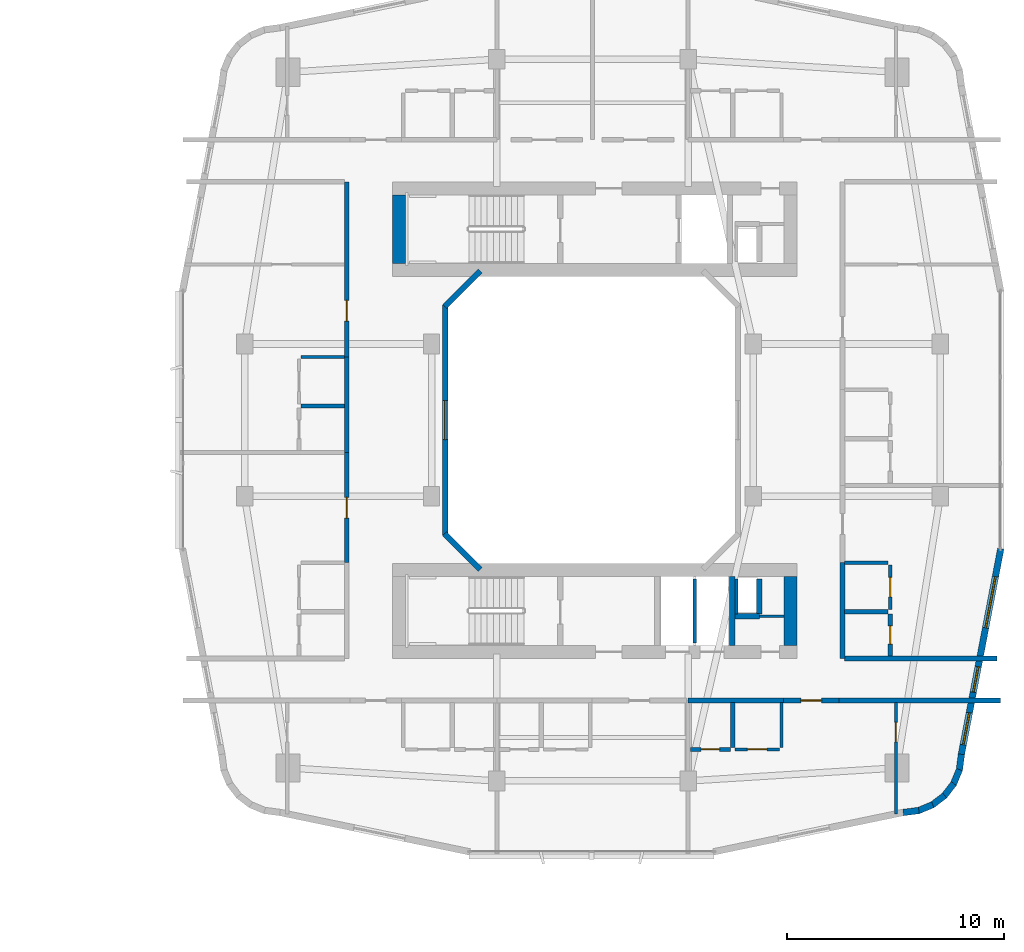
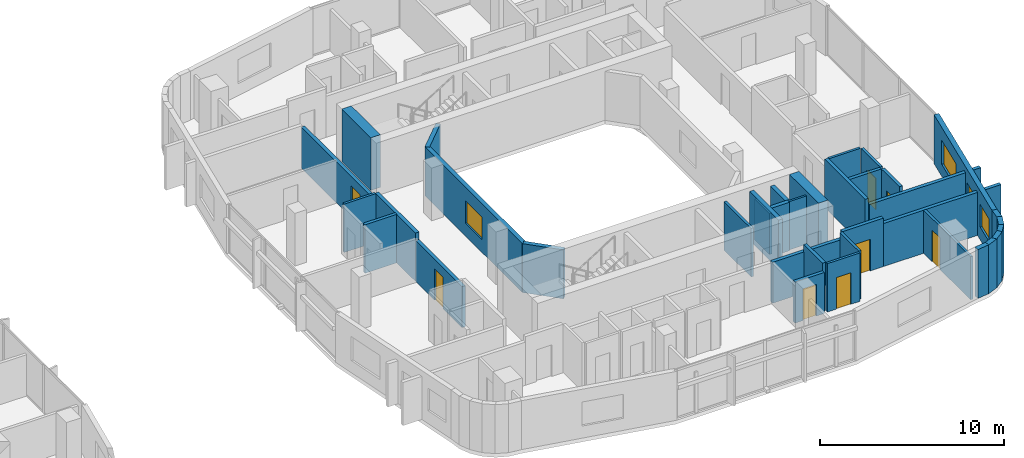
# One storey, part 19 of 27: 37 walls, 8 doors, 4 windows, 12 openings.
"""IFC4 building model written with IfcOpenShell, lengths in metres."""

from ifc_helpers import new_model, si_unit, derived_unit, direction, frame, frame_2d, origin, place, context, subcontext, project, spatial, rectangle, extrude, material, layer, layer_set, type_object, element, fill, save


model = new_model("IFC4")

# Units and contexts
model_context = context("Model", 3, precision=1e-05, world=origin(), true_north=direction((0.0, 1.0)))
body_context = subcontext(model_context, "Body", "Model", "MODEL_VIEW")
ifc_project = project(units=[si_unit("LENGTHUNIT", "METRE"), si_unit("AREAUNIT", "SQUARE_METRE"), si_unit("VOLUMEUNIT", "CUBIC_METRE"), si_unit("PLANEANGLEUNIT", "RADIAN"), si_unit("MASSUNIT", "GRAM", prefix="KILO"), derived_unit("THERMALTRANSMITTANCEUNIT", [(si_unit("POWERUNIT", "WATT"), 1), (si_unit("LENGTHUNIT", "METRE"), -2), (si_unit("THERMODYNAMICTEMPERATUREUNIT", "KELVIN"), -1)])], contexts=[model_context])

# Site, building, storey
site_placement = place(None, origin())
site = spatial("IfcSite", under=ifc_project, at=site_placement, CompositionType="ELEMENT")
building_placement = place(site_placement, origin())
building = spatial("IfcBuilding", under=site, at=building_placement, Name="Kivonza Crest Hotel", CompositionType="ELEMENT")
storey_placement = place(building_placement, frame((0.0, 0.0, 38.0)))
storey = spatial("IfcBuildingStorey", under=building, at=storey_placement, Name="L09", CompositionType="ELEMENT", Elevation=38.0)

# Walls
ifc_material_1 = material(Name="Autoclaved aerated concrete blockwork", Category="masonry")
ifc_layer_1 = layer(ifc_material_1, 0.219970703125)
ifc_layer_set_1 = layer_set([ifc_layer_1], Name="Autoclaved aerated concrete blockwork")
wall_type_1 = type_object("IfcWallType", Name="WL-ACOU-220", PredefinedType="SOLIDWALL", material=ifc_layer_set_1)
wall_1_placement = place(storey_placement, frame((81.39990234375, 12.10009765625, 0.0), z_axis=(0.0, 0.0, 1.0), x_axis=(1.0, 0.0, 0.0)))
element("IfcWall", 1, at=wall_1_placement, inside=storey, type_object=wall_type_1, Name="L09 interior partition WA-L09-A05-LCORR", PredefinedType="SOLIDWALL", context=body_context, shape_type="SweptSolid", body=[
    extrude(rectangle(XDim=4.380126953125, YDim=0.219970703125, at=frame_2d((2.18994140625, 0.0))), origin(), (0.0, 0.0, 1.0), 2.72509765625),
])
wall_2_placement = place(storey_placement, frame((88.35009765625, 12.10009765625, 0.0), z_axis=(0.0, 0.0, 1.0), x_axis=(1.0, 0.0, 0.0)))
element("IfcWall", 2, at=wall_2_placement, inside=storey, type_object=wall_type_1, Name="L09 interior partition WA-L09-A05-RCORR", PredefinedType="SOLIDWALL", context=body_context, shape_type="SweptSolid", body=[
    extrude(rectangle(XDim=7.409912109375, YDim=0.219970703125, at=frame_2d((3.705078125, 0.0))), origin(), (0.0, 0.0, 1.0), 2.864990234375),
])

# Wall, opening, door
wall_3_placement = place(storey_placement, frame((85.780029296875, 12.10009765625, 0.0), z_axis=(0.0, 0.0, 1.0), x_axis=(1.0, 0.0, 0.0)))
wall_3 = element("IfcWall", 3, at=wall_3_placement, inside=storey, type_object=wall_type_1, Name="L09 interior partition WA-L09-A05-MCORR", PredefinedType="SOLIDWALL", context=body_context, shape_type="SweptSolid", body=[
    extrude(rectangle(XDim=2.570068359375, YDim=0.219970703125, at=frame_2d((1.28515625, 0.0))), origin(), (0.0, 0.0, 1.0), 3.219970703125),
])
opening_1_placement = place(wall_3_placement, frame((0.81005859375, 0.0, 0.0)))
opening_1 = element("IfcOpeningElement", 4, at=opening_1_placement, cuts=wall_3, Name="Opening DU-60", PredefinedType="OPENING", context=body_context, shape_type="SweptSolid", body=[
    extrude(rectangle(XDim=0.949951171875, YDim=2.10009765625, at=frame_2d((0.47509765625, 1.050048828125))), frame((0.0, 0.1201171875, 0.0), z_axis=(0.0, -1.0, 0.0), x_axis=(1.0, 0.0, 0.0)), (0.0, 0.0, 1.0), 0.239990234375),
])
ifc_material_2 = material(Name="Hardwood timber oak", Category="wood")
door_type_1 = type_object("IfcDoorType", Name="DR-UNIT-950", OperationType="NOTDEFINED", PredefinedType="DOOR", material=ifc_material_2)
door_1_placement = place(opening_1_placement, frame((0.949951171875, 0.0, 0.0), z_axis=(0.0, 0.0, 1.0), x_axis=(-1.0, 0.0, 0.0)))
door_1 = element("IfcDoor", 5, at=door_1_placement, inside=storey, type_object=door_type_1, Name="L09 A05 apartment entrance fire door", OperationType="SINGLE_SWING_LEFT", OverallHeight=2.10009765625, OverallWidth=0.949951171875, PredefinedType="DOOR", context=body_context, shape_type="SweptSolid", body=[
    extrude(rectangle(XDim=0.949951171875, YDim=2.10009765625, at=frame_2d((0.47509765625, 1.050048828125))), frame((0.0, 0.02490234375, 0.0), z_axis=(0.0, -1.0, 0.0), x_axis=(1.0, 0.0, 0.0)), (0.0, 0.0, 1.0), 0.050048828125),
])
fill(opening_1, door_1)

wall_4_placement = place(storey_placement, frame((65.699951171875, 18.43994140625, 0.0), z_axis=(0.0, 0.0, 1.0), x_axis=(0.0, 1.0, 0.0)))
wall_4 = element("IfcWall", 6, at=wall_4_placement, inside=storey, type_object=wall_type_1, Name="L09 interior partition WA-L09-A06-MCORR", PredefinedType="SOLIDWALL", context=body_context, shape_type="SweptSolid", body=[
    extrude(rectangle(XDim=5.06005859375, YDim=0.219970703125, at=frame_2d((2.530029296875, 0.0))), origin(), (0.0, 0.0, 1.0), 2.72509765625),
])
opening_2_placement = place(wall_4_placement, frame((2.054931640625, 0.0, 0.0)))
opening_2 = element("IfcOpeningElement", 7, at=opening_2_placement, cuts=wall_4, Name="Opening DU-60", PredefinedType="OPENING", context=body_context, shape_type="SweptSolid", body=[
    extrude(rectangle(XDim=0.949951171875, YDim=2.10009765625, at=frame_2d((0.47509765625, 1.050048828125))), frame((0.0, 0.1201171875, 0.0), z_axis=(0.0, -1.0, 0.0), x_axis=(1.0, 0.0, 0.0)), (0.0, 0.0, 1.0), 0.239990234375),
])
door_2_placement = place(opening_2_placement, origin())
door_2 = element("IfcDoor", 8, at=door_2_placement, inside=storey, type_object=door_type_1, Name="L09 A06 apartment entrance fire door", OperationType="SINGLE_SWING_RIGHT", OverallHeight=2.10009765625, OverallWidth=0.949951171875, PredefinedType="DOOR", context=body_context, shape_type="SweptSolid", body=[
    extrude(rectangle(XDim=0.949951171875, YDim=2.10009765625, at=frame_2d((0.47509765625, 1.050048828125))), frame((0.0, 0.02490234375, 0.0), z_axis=(0.0, -1.0, 0.0), x_axis=(1.0, 0.0, 0.0)), (0.0, 0.0, 1.0), 0.050048828125),
])
fill(opening_2, door_2)

# Wall
wall_5_placement = place(storey_placement, frame((65.699951171875, 23.5, 0.0), z_axis=(0.0, 0.0, 1.0), x_axis=(0.0, 1.0, 0.0)))
element("IfcWall", 9, at=wall_5_placement, inside=storey, type_object=wall_type_1, Name="L09 interior partition WA-L09-A07-BCORR", PredefinedType="SOLIDWALL", context=body_context, shape_type="SweptSolid", body=[
    extrude(rectangle(XDim=4.39990234375, YDim=0.219970703125, at=frame_2d((2.199951171875, 0.0))), origin(), (0.0, 0.0, 1.0), 3.219970703125),
])

# Wall, opening, door
wall_6_placement = place(storey_placement, frame((65.699951171875, 27.89990234375, 0.0), z_axis=(0.0, 0.0, 1.0), x_axis=(0.0, 1.0, 0.0)))
wall_6 = element("IfcWall", 10, at=wall_6_placement, inside=storey, type_object=wall_type_1, Name="L09 interior partition WA-L09-A07-MCORR", PredefinedType="SOLIDWALL", context=body_context, shape_type="SweptSolid", body=[
    extrude(rectangle(XDim=8.06005859375, YDim=0.219970703125, at=frame_2d((4.030029296875, 0.0))), origin(), (0.0, 0.0, 1.0), 2.72509765625),
])
opening_3_placement = place(wall_6_placement, frame((1.655029296875, 0.0, 0.0)))
opening_3 = element("IfcOpeningElement", 11, at=opening_3_placement, cuts=wall_6, Name="Opening DU-60", PredefinedType="OPENING", context=body_context, shape_type="SweptSolid", body=[
    extrude(rectangle(XDim=0.949951171875, YDim=2.10009765625, at=frame_2d((0.47509765625, 1.050048828125))), frame((0.0, 0.1201171875, 0.0), z_axis=(0.0, -1.0, 0.0), x_axis=(1.0, 0.0, 0.0)), (0.0, 0.0, 1.0), 0.239990234375),
])
door_3_placement = place(opening_3_placement, origin())
door_3 = element("IfcDoor", 12, at=door_3_placement, inside=storey, type_object=door_type_1, Name="L09 A07 apartment entrance fire door", OperationType="SINGLE_SWING_LEFT", OverallHeight=2.10009765625, OverallWidth=0.949951171875, PredefinedType="DOOR", context=body_context, shape_type="SweptSolid", body=[
    extrude(rectangle(XDim=0.949951171875, YDim=2.10009765625, at=frame_2d((0.47509765625, 1.050048828125))), frame((0.0, 0.02490234375, 0.0), z_axis=(0.0, -1.0, 0.0), x_axis=(1.0, 0.0, 0.0)), (0.0, 0.0, 1.0), 0.050048828125),
])
fill(opening_3, door_3)

# Walls
wall_7_placement = place(storey_placement, frame((88.60009765625, 14.0400390625, 0.0), z_axis=(0.0, 0.0, 1.0), x_axis=(1.0, 0.0, 0.0)))
element("IfcWall", 13, at=wall_7_placement, inside=storey, type_object=wall_type_1, Name="L09 interior partition WA-L09-T2E-ENDS", PredefinedType="SOLIDWALL", context=body_context, shape_type="SweptSolid", body=[
    extrude(rectangle(XDim=7.0, YDim=0.219970703125, at=frame_2d((3.5, 0.0))), origin(), (0.0, 0.0, 1.0), 2.864990234375),
])
wall_8_placement = place(storey_placement, frame((88.5, 14.0400390625, 0.0), z_axis=(0.0, 0.0, 1.0), x_axis=(0.0, 1.0, 0.0)))
element("IfcWall", 14, at=wall_8_placement, inside=storey, type_object=wall_type_1, Name="L09 interior partition WA-L09-A08-BCORR", PredefinedType="SOLIDWALL", context=body_context, shape_type="SweptSolid", body=[
    extrude(rectangle(XDim=4.39990234375, YDim=0.219970703125, at=frame_2d((2.199951171875, 0.0))), origin(), (0.0, 0.0, 1.0), 3.219970703125),
])
ifc_material_3 = material(Name="Concrete C60/75", Category="concrete")
ifc_layer_2 = layer(ifc_material_3, 0.60009765625)
ifc_layer_set_2 = layer_set([ifc_layer_2], Name="Concrete C60/75")
wall_type_2 = type_object("IfcWallType", Name="WL-CORE-600", PredefinedType="SHEAR", material=ifc_layer_set_2)
for number, where, z_axis, x_axis, name in (
    (15, (68.10009765625, 32.199951171875, 0.0), (0.0, 0.0, 1.0), (0.0, 1.0, 0.0), "Core wall T2-N West L09"),
    (16, (86.10009765625, 14.639892578125, 0.0), (0.0, 0.0, 1.0), (0.0, 1.0, 0.0), "Core wall T2-S East L09"),
):
    element("IfcWall", number, at=place(storey_placement, frame(where, z_axis=z_axis, x_axis=x_axis)), inside=storey, type_object=wall_type_2, Name=name, PredefinedType="SHEAR", context=body_context, shape_type="SweptSolid", body=[
        extrude(rectangle(XDim=3.16015625, YDim=0.60009765625, at=frame_2d((1.580078125, 0.0))), origin(), (0.0, 0.0, 1.0), 3.5),
    ])
ifc_material_4 = material(Name="Precast concrete C40/50", Category="concrete")
ifc_layer_3 = layer(ifc_material_4, 0.260009765625)
ifc_layer_set_3 = layer_set([ifc_layer_3], Name="Precast concrete C40/50")
wall_type_3 = type_object("IfcWallType", Name="WL-EXT-260", PredefinedType="STANDARD", material=ifc_layer_set_3)
wall_9_placement = place(storey_placement, frame((71.837890625, 31.862060546875, 0.0), z_axis=(0.0, 0.0, 1.0), x_axis=(-0.707053950914, -0.707159607512, 0.0)))
element("IfcWall", 17, at=wall_9_placement, inside=storey, type_object=wall_type_3, Name="L09 T2 light-well exterior wall 6", PredefinedType="STANDARD", context=body_context, shape_type="SweptSolid", body=[
    extrude(rectangle(XDim=2.310791015625, YDim=0.260009765625, at=frame_2d((1.1552734375, 0.0))), origin(), (0.0, 0.0, 1.0), 3.25),
])

# Wall, opening, window
wall_10_placement = place(storey_placement, frame((70.22998046875, 30.2900390625, 0.0), z_axis=(0.0, 0.0, 1.0), x_axis=(0.0, -1.0, 0.0)))
wall_10 = element("IfcWall", 18, at=wall_10_placement, inside=storey, type_object=wall_type_3, Name="L09 T2 light-well exterior wall 7", PredefinedType="STANDARD", context=body_context, shape_type="SweptSolid", body=[
    extrude(rectangle(XDim=10.580078125, YDim=0.260009765625, at=frame_2d((5.2900390625, 0.0))), origin(), (0.0, 0.0, 1.0), 3.25),
])
opening_4_placement = place(wall_10_placement, frame((4.389892578125, 0.0, 0.85009765625)))
opening_4 = element("IfcOpeningElement", 19, at=opening_4_placement, cuts=wall_10, Name="Opening WN-03", PredefinedType="OPENING", context=body_context, shape_type="SweptSolid", body=[
    extrude(rectangle(XDim=1.800048828125, YDim=1.5, at=frame_2d((0.89990234375, 0.75))), frame((0.0, 0.14013671875, 0.0), z_axis=(0.0, -1.0, 0.0), x_axis=(1.0, 0.0, 0.0)), (0.0, 0.0, 1.0), 0.280029296875),
])
ifc_material_5 = material(Name="Thermally broken bronze aluminium and low-E double glazing", Category="aluminium")
window_type_1 = type_object("IfcWindowType", Name="WN-180x150", PartitioningType="DOUBLE_PANEL_VERTICAL", PredefinedType="WINDOW", material=ifc_material_5)
window_1_placement = place(opening_4_placement, origin())
window_1 = element("IfcWindow", 20, at=window_1_placement, inside=storey, type_object=window_type_1, Name="L09 T2 light-well window 7", OverallHeight=1.5, OverallWidth=1.800048828125, PartitioningType="SINGLE_PANEL", PredefinedType="WINDOW", context=body_context, shape_type="SweptSolid", body=[
    extrude(rectangle(XDim=1.800048828125, YDim=1.5, at=frame_2d((0.89990234375, 0.75))), frame((0.0, 0.030029296875, 0.0), z_axis=(0.0, -1.0, 0.0), x_axis=(1.0, 0.0, 0.0)), (0.0, 0.0, 1.0), 0.06005859375),
])
fill(opening_4, window_1)

# Walls
wall_11_placement = place(storey_placement, frame((70.2041015625, 19.77197265625, 0.0), z_axis=(0.0, 0.0, 1.0), x_axis=(0.707053950914, -0.707159607512, 0.0)))
element("IfcWall", 21, at=wall_11_placement, inside=storey, type_object=wall_type_3, Name="L09 T2 light-well exterior wall 8", PredefinedType="STANDARD", context=body_context, shape_type="SweptSolid", body=[
    extrude(rectangle(XDim=2.310791015625, YDim=0.260009765625, at=frame_2d((1.1552734375, 0.0))), origin(), (0.0, 0.0, 1.0), 3.25),
])
ifc_layer_4 = layer(ifc_material_4, 0.300048828125)
ifc_layer_set_4 = layer_set([ifc_layer_4], Name="Precast concrete C40/50")
wall_type_4 = type_object("IfcWallType", Name="WL-EXT-300", PredefinedType="STANDARD", material=ifc_layer_set_4)
wall_12_placement = place(storey_placement, frame((91.29296875, 6.947998046875, 0.0), z_axis=(0.0, 0.0, 1.0), x_axis=(0.991486167159, 0.13021205909, 0.0)))
element("IfcWall", 22, at=wall_12_placement, inside=storey, type_object=wall_type_4, Name="L09 T2 exterior insulated wall 10", PredefinedType="STANDARD", context=body_context, shape_type="SweptSolid", body=[
    extrude(rectangle(XDim=0.729248046875, YDim=0.300048828125, at=frame_2d((0.36474609375, 0.0))), origin(), (0.0, 0.0, 1.0), 3.25),
])
for number, where, z_axis, x_axis, name in (
    (23, (91.965087890625, 7.02392578125, 0.0), (0.0, 0.0, 1.0), (0.923521684703, 0.383546213491, 0.0), "L09 T2 exterior insulated wall 11"),
    (24, (92.60888671875, 7.279052734375, 0.0), (0.0, 0.0, 1.0), (0.79363269798, 0.608397189915, 0.0), "L09 T2 exterior insulated wall 12"),
    (25, (93.166015625, 7.69091796875, 0.0), (0.0, 0.0, 1.0), (0.608603261071, 0.793474681772, 0.0), "L09 T2 exterior insulated wall 13"),
):
    element("IfcWall", number, at=place(storey_placement, frame(where, z_axis=z_axis, x_axis=x_axis)), inside=storey, type_object=wall_type_4, Name=name, PredefinedType="STANDARD", context=body_context, shape_type="SweptSolid", body=[
        extrude(rectangle(XDim=0.74609375, YDim=0.300048828125, at=frame_2d((0.373046875, 0.0))), origin(), (0.0, 0.0, 1.0), 3.25),
    ])
wall_13_placement = place(storey_placement, frame((93.595947265625, 8.23388671875, 0.0), z_axis=(0.0, 0.0, 1.0), x_axis=(0.383430326427, 0.923569805037, 0.0)))
element("IfcWall", 26, at=wall_13_placement, inside=storey, type_object=wall_type_4, Name="L09 T2 exterior insulated wall 14", PredefinedType="STANDARD", context=body_context, shape_type="SweptSolid", body=[
    extrude(rectangle(XDim=0.746337890625, YDim=0.300048828125, at=frame_2d((0.373046875, 0.0))), origin(), (0.0, 0.0, 1.0), 3.25),
])
wall_14_placement = place(storey_placement, frame((93.873046875, 8.868896484375, 0.0), z_axis=(0.0, 0.0, 1.0), x_axis=(0.129339184068, 0.991600411186, 0.0)))
element("IfcWall", 27, at=wall_14_placement, inside=storey, type_object=wall_type_4, Name="L09 T2 exterior insulated wall 15", PredefinedType="STANDARD", context=body_context, shape_type="SweptSolid", body=[
    extrude(rectangle(XDim=0.764404296875, YDim=0.300048828125, at=frame_2d((0.38232421875, 0.0))), origin(), (0.0, 0.0, 1.0), 3.25),
])

# Wall, openings, windows
wall_15_placement = place(storey_placement, frame((93.970947265625, 9.6201171875, 0.0), z_axis=(0.0, 0.0, 1.0), x_axis=(0.188087874316, 0.982152203854, 0.0)))
wall_15 = element("IfcWall", 28, at=wall_15_placement, inside=storey, type_object=wall_type_4, Name="L09 T2 exterior insulated wall 16", PredefinedType="STANDARD", context=body_context, shape_type="SweptSolid", body=[
    extrude(rectangle(XDim=9.6337890625, YDim=0.300048828125, at=frame_2d((4.81689453125, 0.0))), origin(), (0.0, 0.0, 1.0), 3.25),
])
opening_5_placement = place(wall_15_placement, frame((0.451904296875, 0.0, 0.85009765625)))
opening_5 = element("IfcOpeningElement", 29, at=opening_5_placement, cuts=wall_15, Name="Opening WN-02", PredefinedType="OPENING", context=body_context, shape_type="SweptSolid", body=[
    extrude(rectangle(XDim=1.5, YDim=1.5, at=frame_2d((0.75, 0.75))), frame((0.0, 0.16015625, 0.0), z_axis=(0.0, -1.0, 0.0), x_axis=(1.0, 0.0, 0.0)), (0.0, 0.0, 1.0), 0.320068359375),
])
opening_6_placement = place(wall_15_placement, frame((2.9130859375, 0.0, 0.85009765625)))
opening_6 = element("IfcOpeningElement", 30, at=opening_6_placement, cuts=wall_15, Name="Opening WN-01", PredefinedType="OPENING", context=body_context, shape_type="SweptSolid", body=[
    extrude(rectangle(XDim=1.199951171875, YDim=1.5, at=frame_2d((0.60009765625, 0.75))), frame((0.0, 0.16015625, 0.0), z_axis=(0.0, -1.0, 0.0), x_axis=(1.0, 0.0, 0.0)), (0.0, 0.0, 1.0), 0.320068359375),
])
opening_7_placement = place(wall_15_placement, frame((5.927978515625, 0.0, 0.800048828125)))
opening_7 = element("IfcOpeningElement", 31, at=opening_7_placement, cuts=wall_15, Name="Opening WN-05", PredefinedType="OPENING", context=body_context, shape_type="SweptSolid", body=[
    extrude(rectangle(XDim=2.39990234375, YDim=1.60009765625, at=frame_2d((1.199951171875, 0.800048828125))), frame((0.0, 0.16015625, 0.0), z_axis=(0.0, -1.0, 0.0), x_axis=(1.0, 0.0, 0.0)), (0.0, 0.0, 1.0), 0.320068359375),
])
window_type_2 = type_object("IfcWindowType", Name="WN-120x150", PartitioningType="SINGLE_PANEL", PredefinedType="WINDOW", material=ifc_material_5)
window_2_placement = place(opening_6_placement, origin())
window_2 = element("IfcWindow", 32, at=window_2_placement, inside=storey, type_object=window_type_2, Name="L09 T2 facade window 16 bay 2", OverallHeight=1.5, OverallWidth=1.199951171875, PartitioningType="SINGLE_PANEL", PredefinedType="WINDOW", context=body_context, shape_type="SweptSolid", body=[
    extrude(rectangle(XDim=1.199951171875, YDim=1.5, at=frame_2d((0.60009765625, 0.75))), frame((0.0, 0.030029296875, 0.0), z_axis=(0.0, -1.0, 0.0), x_axis=(1.0, 0.0, 0.0)), (0.0, 0.0, 1.0), 0.06005859375),
])
fill(opening_6, window_2)
window_type_3 = type_object("IfcWindowType", Name="WN-150x150", PartitioningType="DOUBLE_PANEL_VERTICAL", PredefinedType="WINDOW", material=ifc_material_5)
window_3_placement = place(opening_5_placement, origin())
window_3 = element("IfcWindow", 33, at=window_3_placement, inside=storey, type_object=window_type_3, Name="L09 T2 facade window 16 bay 1", OverallHeight=1.5, OverallWidth=1.5, PartitioningType="SINGLE_PANEL", PredefinedType="WINDOW", context=body_context, shape_type="SweptSolid", body=[
    extrude(rectangle(XDim=1.5, YDim=1.5, at=frame_2d((0.75, 0.75))), frame((0.0, 0.030029296875, 0.0), z_axis=(0.0, -1.0, 0.0), x_axis=(1.0, 0.0, 0.0)), (0.0, 0.0, 1.0), 0.06005859375),
])
fill(opening_5, window_3)
window_type_4 = type_object("IfcWindowType", Name="WN-240x160", PartitioningType="TRIPLE_PANEL_VERTICAL", PredefinedType="WINDOW", material=ifc_material_5)
window_4_placement = place(opening_7_placement, origin())
window_4 = element("IfcWindow", 34, at=window_4_placement, inside=storey, type_object=window_type_4, Name="L09 T2 facade window 16 bay 3", OverallHeight=1.60009765625, OverallWidth=2.39990234375, PartitioningType="SINGLE_PANEL", PredefinedType="WINDOW", context=body_context, shape_type="SweptSolid", body=[
    extrude(rectangle(XDim=2.39990234375, YDim=1.60009765625, at=frame_2d((1.199951171875, 0.800048828125))), frame((0.0, 0.030029296875, 0.0), z_axis=(0.0, -1.0, 0.0), x_axis=(1.0, 0.0, 0.0)), (0.0, 0.0, 1.0), 0.06005859375),
])
fill(opening_7, window_4)

# Walls
ifc_material_6 = material(Name="Concrete blockwork fire-compartment wall", Category="masonry")
ifc_layer_5 = layer(ifc_material_6, 0.25)
ifc_layer_set_5 = layer_set([ifc_layer_5], Name="Concrete blockwork fire-compartment wall")
wall_type_5 = type_object("IfcWallType", Name="WL-FIRE-250", PredefinedType="SOLIDWALL", material=ifc_layer_set_5)
wall_16_placement = place(storey_placement, frame((84.679931640625, 16.080078125, 0.0), z_axis=(0.0, 0.0, 1.0), x_axis=(0.0, 1.0, 0.0)))
element("IfcWall", 35, at=wall_16_placement, inside=storey, type_object=wall_type_5, Name="L09 interior partition WA-L09-T2-S-MEPR-E", PredefinedType="SOLIDWALL", context=body_context, shape_type="SweptSolid", body=[
    extrude(rectangle(XDim=1.619873046875, YDim=0.25, at=frame_2d((0.81005859375, 0.0))), origin(), (0.0, 0.0, 1.0), 3.219970703125),
])
wall_17_placement = place(storey_placement, frame((83.550048828125, 15.97998046875, 0.0), z_axis=(0.0, 0.0, 1.0), x_axis=(1.0, 0.0, 0.0)))
element("IfcWall", 36, at=wall_17_placement, inside=storey, type_object=wall_type_5, Name="L09 interior partition WA-L09-T2-S-MEPR-H", PredefinedType="SOLIDWALL", context=body_context, shape_type="SweptSolid", body=[
    extrude(rectangle(XDim=1.1298828125, YDim=0.25, at=frame_2d((0.56494140625, 0.0))), origin(), (0.0, 0.0, 1.0), 3.219970703125),
])
ifc_material_7 = material(Name="Metal-stud gypsum board partition", Category="gypsum")
ifc_layer_6 = layer(ifc_material_7, 0.125)
ifc_layer_set_6 = layer_set([ifc_layer_6], Name="Metal-stud gypsum board partition")
wall_type_6 = type_object("IfcWallType", Name="WL-PART-125", PredefinedType="PARTITIONING", material=ifc_layer_set_6)
wall_18_placement = place(storey_placement, frame((84.679931640625, 15.97998046875, 0.0), z_axis=(0.0, 0.0, 1.0), x_axis=(1.0, 0.0, 0.0)))
element("IfcWall", 37, at=wall_18_placement, inside=storey, type_object=wall_type_6, Name="L09 interior partition WP-L09-T2-S-T2H", PredefinedType="PARTITIONING", context=body_context, shape_type="SweptSolid", body=[
    extrude(rectangle(XDim=1.1201171875, YDim=0.125, at=frame_2d((0.56005859375, 0.0))), origin(), (0.0, 0.0, 1.0), 3.219970703125),
])
ifc_material_8 = material(Name="Twin-stud acoustic gypsum board partition", Category="gypsum")
ifc_layer_7 = layer(ifc_material_8, 0.14990234375)
ifc_layer_set_7 = layer_set([ifc_layer_7], Name="Twin-stud acoustic gypsum board partition")
wall_type_7 = type_object("IfcWallType", Name="WL-PART-150", PredefinedType="PARTITIONING", material=ifc_layer_set_7)
wall_19_placement = place(storey_placement, frame((83.6298828125, 16.080078125, 0.0), z_axis=(0.0, 0.0, 1.0), x_axis=(0.0, 1.0, 0.0)))
element("IfcWall", 38, at=wall_19_placement, inside=storey, type_object=wall_type_7, Name="L09 interior partition WA-L09-T2-S-MEPR-W", PredefinedType="PARTITIONING", context=body_context, shape_type="SweptSolid", body=[
    extrude(rectangle(XDim=1.619873046875, YDim=0.14990234375, at=frame_2d((0.81005859375, 0.0))), origin(), (0.0, 0.0, 1.0), 2.72509765625),
])
wall_20_placement = place(storey_placement, frame((81.699951171875, 14.739990234375, 0.0), z_axis=(0.0, 0.0, 1.0), x_axis=(0.0, 1.0, 0.0)))
element("IfcWall", 39, at=wall_20_placement, inside=storey, type_object=wall_type_7, Name="L09 interior partition WP-L09-T2-S-BSH-1", PredefinedType="PARTITIONING", context=body_context, shape_type="SweptSolid", body=[
    extrude(rectangle(XDim=2.9599609375, YDim=0.14990234375, at=frame_2d((1.47998046875, 0.0))), origin(), (0.0, 0.0, 1.0), 3.219970703125),
])

# Wall, opening, door
wall_21_placement = place(storey_placement, frame((90.9599609375, 6.886962890625, 0.0), z_axis=(0.0, 0.0, 1.0), x_axis=(0.0, 1.0, 0.0)))
wall_21 = element("IfcWall", 40, at=wall_21_placement, inside=storey, type_object=wall_type_7, Name="L09 interior partition WP-L09-A05-BDW1", PredefinedType="PARTITIONING", context=body_context, shape_type="SweptSolid", body=[
    extrude(rectangle(XDim=5.113037109375, YDim=0.14990234375, at=frame_2d((2.556640625, 0.0))), origin(), (0.0, 0.0, 1.0), 2.864990234375),
])
opening_8_placement = place(wall_21_placement, frame((3.31005859375, 0.0, 0.0)))
opening_8 = element("IfcOpeningElement", 41, at=opening_8_placement, cuts=wall_21, Name="Opening DI-90", PredefinedType="OPENING", context=body_context, shape_type="SweptSolid", body=[
    extrude(rectangle(XDim=0.89990234375, YDim=2.10009765625, at=frame_2d((0.449951171875, 1.050048828125))), frame((0.0, 0.0849609375, 0.0), z_axis=(0.0, -1.0, 0.0), x_axis=(1.0, 0.0, 0.0)), (0.0, 0.0, 1.0), 0.169921875),
])
door_type_2 = type_object("IfcDoorType", Name="DR-INT-900", OperationType="NOTDEFINED", PredefinedType="DOOR", material=ifc_material_2)
door_4_placement = place(opening_8_placement, origin())
door_4 = element("IfcDoor", 42, at=door_4_placement, inside=storey, type_object=door_type_2, Name="L09 A05 bedroom 1 door", OperationType="SINGLE_SWING_RIGHT", OverallHeight=2.10009765625, OverallWidth=0.89990234375, PredefinedType="DOOR", context=body_context, shape_type="SweptSolid", body=[
    extrude(rectangle(XDim=0.89990234375, YDim=2.10009765625, at=frame_2d((0.449951171875, 1.050048828125))), frame((0.0, 0.02490234375, 0.0), z_axis=(0.0, -1.0, 0.0), x_axis=(1.0, 0.0, 0.0)), (0.0, 0.0, 1.0), 0.050048828125),
])
fill(opening_8, door_4)

# Wall
wall_22_placement = place(storey_placement, frame((85.699951171875, 9.949951171875, 0.0), z_axis=(0.0, 0.0, 1.0), x_axis=(0.0, 1.0, 0.0)))
element("IfcWall", 43, at=wall_22_placement, inside=storey, type_object=wall_type_7, Name="L09 interior partition WP-L09-A05-KF", PredefinedType="PARTITIONING", context=body_context, shape_type="SweptSolid", body=[
    extrude(rectangle(XDim=2.050048828125, YDim=0.14990234375, at=frame_2d((1.02490234375, 0.0))), origin(), (0.0, 0.0, 1.0), 3.219970703125),
])

# Wall, opening, door
wall_23_placement = place(storey_placement, frame((83.550048828125, 9.85009765625, 0.0), z_axis=(0.0, 0.0, 1.0), x_axis=(1.0, 0.0, 0.0)))
wall_23 = element("IfcWall", 44, at=wall_23_placement, inside=storey, type_object=wall_type_7, Name="L09 interior partition WP-L09-A05-KSVC", PredefinedType="PARTITIONING", context=body_context, shape_type="SweptSolid", body=[
    extrude(rectangle(XDim=2.050048828125, YDim=0.14990234375, at=frame_2d((1.02490234375, 0.0))), origin(), (0.0, 0.0, 1.0), 3.219970703125),
])
opening_9_placement = place(wall_23_placement, frame((0.574951171875, 0.0, 0.0)))
opening_9 = element("IfcOpeningElement", 45, at=opening_9_placement, cuts=wall_23, Name="Opening DI-90", PredefinedType="OPENING", context=body_context, shape_type="SweptSolid", body=[
    extrude(rectangle(XDim=0.89990234375, YDim=2.10009765625, at=frame_2d((0.449951171875, 1.050048828125))), frame((0.0, 0.0849609375, 0.0), z_axis=(0.0, -1.0, 0.0), x_axis=(1.0, 0.0, 0.0)), (0.0, 0.0, 1.0), 0.169921875),
])
door_5_placement = place(opening_9_placement, frame((0.89990234375, 0.0, 0.0), z_axis=(0.0, 0.0, 1.0), x_axis=(-1.0, 0.0, 0.0)))
door_5 = element("IfcDoor", 46, at=door_5_placement, inside=storey, type_object=door_type_2, Name="L09 A05 apartment kitchen door", OperationType="SINGLE_SWING_LEFT", OverallHeight=2.10009765625, OverallWidth=0.89990234375, PredefinedType="DOOR", context=body_context, shape_type="SweptSolid", body=[
    extrude(rectangle(XDim=0.89990234375, YDim=2.10009765625, at=frame_2d((0.449951171875, 1.050048828125))), frame((0.0, 0.02490234375, 0.0), z_axis=(0.0, -1.0, 0.0), x_axis=(1.0, 0.0, 0.0)), (0.0, 0.0, 1.0), 0.050048828125),
])
fill(opening_9, door_5)

# Walls
for number, where, z_axis, x_axis, name in (
    (47, (63.60009765625, 27.89990234375, 0.0), (0.0, 0.0, 1.0), (1.0, 0.0, 0.0), "L09 interior partition WP-L09-A07-KF"),
    (48, (88.60009765625, 18.43994140625, 0.0), (0.0, 0.0, 1.0), (1.0, 0.0, 0.0), "L09 interior partition WP-L09-A08-KF"),
):
    element("IfcWall", number, at=place(storey_placement, frame(where, z_axis=z_axis, x_axis=x_axis)), inside=storey, type_object=wall_type_7, Name=name, PredefinedType="PARTITIONING", context=body_context, shape_type="SweptSolid", body=[
        extrude(rectangle(XDim=2.0, YDim=0.14990234375, at=frame_2d((1.0, 0.0))), origin(), (0.0, 0.0, 1.0), 3.219970703125),
    ])

# Wall, opening, door
wall_24_placement = place(storey_placement, frame((90.699951171875, 16.2900390625, 0.0), z_axis=(0.0, 0.0, 1.0), x_axis=(0.0, 1.0, 0.0)))
wall_24 = element("IfcWall", 49, at=wall_24_placement, inside=storey, type_object=wall_type_7, Name="L09 interior partition WP-L09-A08-KSVC", PredefinedType="PARTITIONING", context=body_context, shape_type="SweptSolid", body=[
    extrude(rectangle(XDim=2.050048828125, YDim=0.14990234375, at=frame_2d((1.02490234375, 0.0))), origin(), (0.0, 0.0, 1.0), 3.219970703125),
])
opening_10_placement = place(wall_24_placement, frame((0.574951171875, 0.0, 0.0)))
opening_10 = element("IfcOpeningElement", 50, at=opening_10_placement, cuts=wall_24, Name="Opening DI-90", PredefinedType="OPENING", context=body_context, shape_type="SweptSolid", body=[
    extrude(rectangle(XDim=0.89990234375, YDim=2.10009765625, at=frame_2d((0.449951171875, 1.050048828125))), frame((0.0, 0.0849609375, 0.0), z_axis=(0.0, -1.0, 0.0), x_axis=(1.0, 0.0, 0.0)), (0.0, 0.0, 1.0), 0.169921875),
])
door_6_placement = place(opening_10_placement, frame((0.89990234375, 0.0, 0.0), z_axis=(0.0, 0.0, 1.0), x_axis=(-1.0, 0.0, 0.0)))
door_6 = element("IfcDoor", 51, at=door_6_placement, inside=storey, type_object=door_type_2, Name="L09 A08 apartment kitchen door", OperationType="SINGLE_SWING_RIGHT", OverallHeight=2.10009765625, OverallWidth=0.89990234375, PredefinedType="DOOR", context=body_context, shape_type="SweptSolid", body=[
    extrude(rectangle(XDim=0.89990234375, YDim=2.10009765625, at=frame_2d((0.449951171875, 1.050048828125))), frame((0.0, 0.02490234375, 0.0), z_axis=(0.0, -1.0, 0.0), x_axis=(1.0, 0.0, 0.0)), (0.0, 0.0, 1.0), 0.050048828125),
])
fill(opening_10, door_6)

# Wall
ifc_material_9 = material(Name="Moisture-resistant plumbing chase partition wall", Category="gypsum")
ifc_layer_8 = layer(ifc_material_9, 0.199951171875)
ifc_layer_set_8 = layer_set([ifc_layer_8], Name="Moisture-resistant plumbing chase partition wall")
wall_type_8 = type_object("IfcWallType", Name="WL-PLUMB-200", PredefinedType="PLUMBINGWALL", material=ifc_layer_set_8)
wall_25_placement = place(storey_placement, frame((83.449951171875, 9.949951171875, 0.0), z_axis=(0.0, 0.0, 1.0), x_axis=(0.0, 1.0, 0.0)))
element("IfcWall", 52, at=wall_25_placement, inside=storey, type_object=wall_type_8, Name="L09 interior partition WW-L09-A05-BK", PredefinedType="PLUMBINGWALL", context=body_context, shape_type="SweptSolid", body=[
    extrude(rectangle(XDim=2.050048828125, YDim=0.199951171875, at=frame_2d((1.02490234375, 0.0))), origin(), (0.0, 0.0, 1.0), 3.219970703125),
])

# Wall, opening, door
wall_26_placement = place(storey_placement, frame((81.5, 9.85009765625, 0.0), z_axis=(0.0, 0.0, 1.0), x_axis=(1.0, 0.0, 0.0)))
wall_26 = element("IfcWall", 53, at=wall_26_placement, inside=storey, type_object=wall_type_8, Name="L09 interior partition WW-L09-A05-BSVC", PredefinedType="PLUMBINGWALL", context=body_context, shape_type="SweptSolid", body=[
    extrude(rectangle(XDim=1.85009765625, YDim=0.199951171875, at=frame_2d((0.925048828125, 0.0))), origin(), (0.0, 0.0, 1.0), 2.72509765625),
])
opening_11_placement = place(wall_26_placement, frame((0.5, 0.0, 0.0)))
opening_11 = element("IfcOpeningElement", 54, at=opening_11_placement, cuts=wall_26, Name="Opening DI-85", PredefinedType="OPENING", context=body_context, shape_type="SweptSolid", body=[
    extrude(rectangle(XDim=0.85009765625, YDim=2.10009765625, at=frame_2d((0.425048828125, 1.050048828125))), frame((0.0, 0.10986328125, 0.0), z_axis=(0.0, -1.0, 0.0), x_axis=(1.0, 0.0, 0.0)), (0.0, 0.0, 1.0), 0.219970703125),
])
door_type_3 = type_object("IfcDoorType", Name="DR-INT-850", OperationType="NOTDEFINED", PredefinedType="DOOR", material=ifc_material_2)
door_7_placement = place(opening_11_placement, frame((0.85009765625, 0.0, 0.0), z_axis=(0.0, 0.0, 1.0), x_axis=(-1.0, 0.0, 0.0)))
door_7 = element("IfcDoor", 55, at=door_7_placement, inside=storey, type_object=door_type_3, Name="L09 A05 apartment bathroom door", OperationType="SINGLE_SWING_RIGHT", OverallHeight=2.10009765625, OverallWidth=0.85009765625, PredefinedType="DOOR", context=body_context, shape_type="SweptSolid", body=[
    extrude(rectangle(XDim=0.85009765625, YDim=2.10009765625, at=frame_2d((0.425048828125, 1.050048828125))), frame((0.0, 0.02490234375, 0.0), z_axis=(0.0, -1.0, 0.0), x_axis=(1.0, 0.0, 0.0)), (0.0, 0.0, 1.0), 0.050048828125),
])
fill(opening_11, door_7)

# Walls
for number, where, z_axis, x_axis, name in (
    (56, (63.60009765625, 25.64990234375, 0.0), (0.0, 0.0, 1.0), (1.0, 0.0, 0.0), "L09 interior partition WW-L09-A07-BK"),
    (57, (88.60009765625, 16.18994140625, 0.0), (0.0, 0.0, 1.0), (1.0, 0.0, 0.0), "L09 interior partition WW-L09-A08-BK"),
):
    element("IfcWall", number, at=place(storey_placement, frame(where, z_axis=z_axis, x_axis=x_axis)), inside=storey, type_object=wall_type_8, Name=name, PredefinedType="PLUMBINGWALL", context=body_context, shape_type="SweptSolid", body=[
        extrude(rectangle(XDim=2.0, YDim=0.199951171875, at=frame_2d((1.0, 0.0))), origin(), (0.0, 0.0, 1.0), 3.219970703125),
    ])

# Wall, opening, door
wall_27_placement = place(storey_placement, frame((90.699951171875, 14.139892578125, 0.0), z_axis=(0.0, 0.0, 1.0), x_axis=(0.0, 1.0, 0.0)))
wall_27 = element("IfcWall", 58, at=wall_27_placement, inside=storey, type_object=wall_type_8, Name="L09 interior partition WW-L09-A08-BSVC", PredefinedType="PLUMBINGWALL", context=body_context, shape_type="SweptSolid", body=[
    extrude(rectangle(XDim=1.9501953125, YDim=0.199951171875, at=frame_2d((0.97509765625, 0.0))), origin(), (0.0, 0.0, 1.0), 3.219970703125),
])
opening_12_placement = place(wall_27_placement, frame((0.550048828125, 0.0, 0.0)))
opening_12 = element("IfcOpeningElement", 59, at=opening_12_placement, cuts=wall_27, Name="Opening DI-85", PredefinedType="OPENING", context=body_context, shape_type="SweptSolid", body=[
    extrude(rectangle(XDim=0.85009765625, YDim=2.10009765625, at=frame_2d((0.425048828125, 1.050048828125))), frame((0.0, 0.10986328125, 0.0), z_axis=(0.0, -1.0, 0.0), x_axis=(1.0, 0.0, 0.0)), (0.0, 0.0, 1.0), 0.219970703125),
])
door_8_placement = place(opening_12_placement, frame((0.85009765625, 0.0, 0.0), z_axis=(0.0, 0.0, 1.0), x_axis=(-1.0, 0.0, 0.0)))
door_8 = element("IfcDoor", 60, at=door_8_placement, inside=storey, type_object=door_type_3, Name="L09 A08 apartment bathroom door", OperationType="SINGLE_SWING_LEFT", OverallHeight=2.10009765625, OverallWidth=0.85009765625, PredefinedType="DOOR", context=body_context, shape_type="SweptSolid", body=[
    extrude(rectangle(XDim=0.85009765625, YDim=2.10009765625, at=frame_2d((0.425048828125, 1.050048828125))), frame((0.0, 0.02490234375, 0.0), z_axis=(0.0, -1.0, 0.0), x_axis=(1.0, 0.0, 0.0)), (0.0, 0.0, 1.0), 0.050048828125),
])
fill(opening_12, door_8)

# Wall
ifc_material_10 = material(Name="Concrete C50/60", Category="concrete")
ifc_layer_9 = layer(ifc_material_10, 0.25)
ifc_layer_set_9 = layer_set([ifc_layer_9], Name="Concrete C50/60")
wall_type_9 = type_object("IfcWallType", Name="WL-SHAFT-250", PredefinedType="STANDARD", material=ifc_layer_set_9)
wall_28_placement = place(storey_placement, frame((83.425048828125, 14.639892578125, 0.0), z_axis=(0.0, 0.0, 1.0), x_axis=(0.0, 1.0, 0.0)))
element("IfcWall", 61, at=wall_28_placement, inside=storey, type_object=wall_type_9, Name="Core shaft wall T2-S BANK-E L09", PredefinedType="STANDARD", context=body_context, shape_type="SweptSolid", body=[
    extrude(rectangle(XDim=3.16015625, YDim=0.25, at=frame_2d((1.580078125, 0.0))), origin(), (0.0, 0.0, 1.0), 3.25),
])

save(model, "model.ifc")
